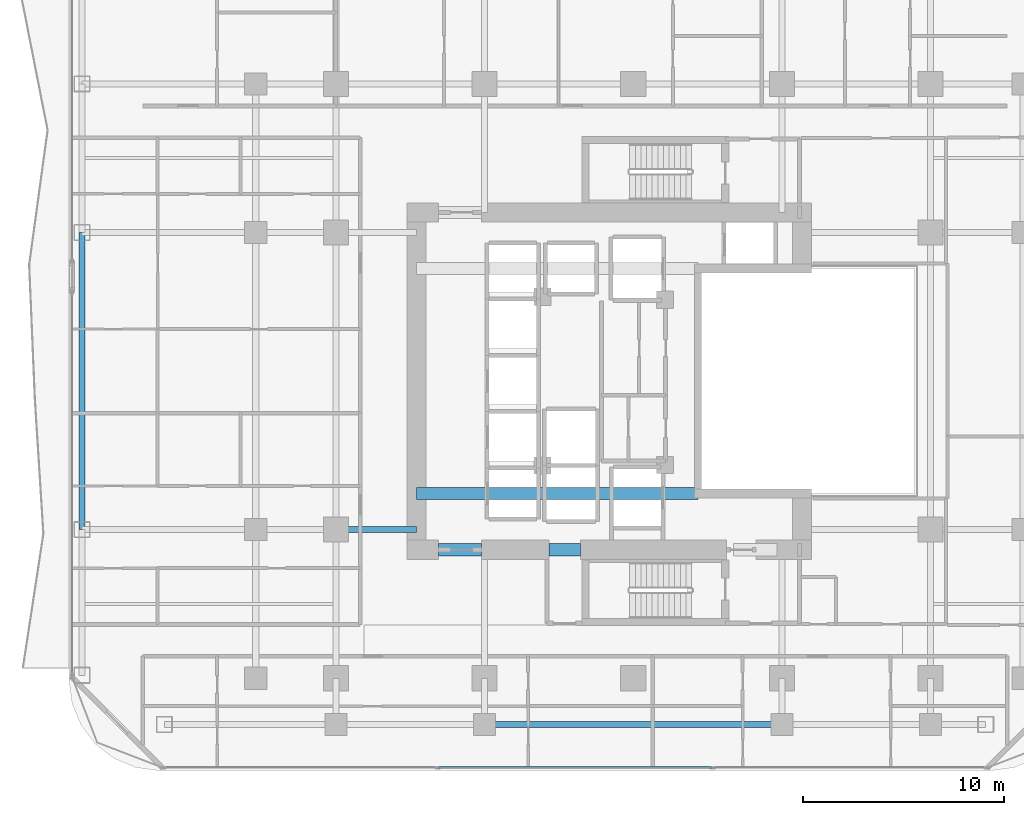
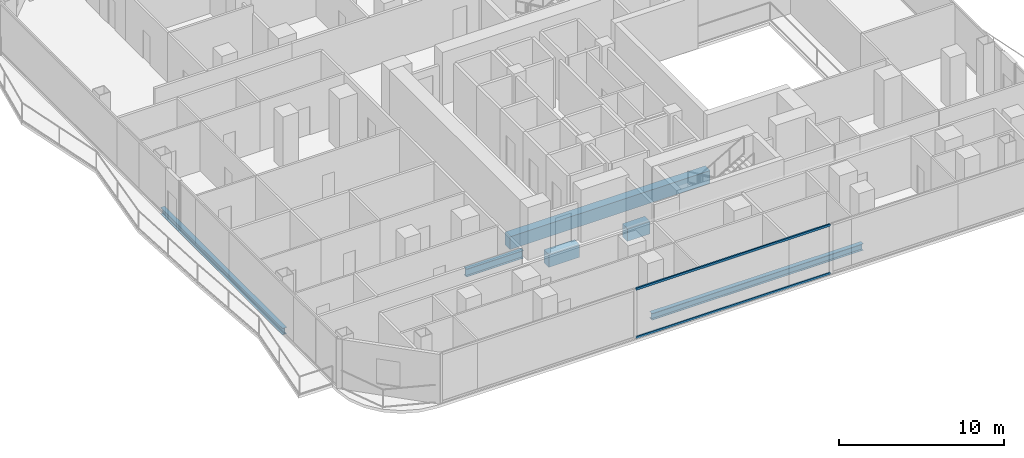
# One storey, part 5 of 28: 6 beams, 2 members, 1 element without a shape of its own.
"""IFC4 building model written with IfcOpenShell, lengths in metres."""

import ifcopenshell
import ifcopenshell.guid

model = None  # the IFC model being written
_history = None  # IfcOwnerHistory: only IFC2X3 demands one
_inside = {}  # id of a spatial element -> (the spatial element, [elements in it])
_under = {}  # id of a project, library or spatial element -> (it, [spatial elements below it])
_declared = {}  # id of a project -> (the project, [libraries it declares])
_typed = {}  # id of a type object -> (the type object, [elements of that type])
_made_of = {}  # id of a material, layer set ... -> (it, [elements and type objects made of it])


def new_model(schema):
    """Start an empty IFC model of exactly this schema.

    Asked for "IFC4X3", IfcOpenShell would pick the latest addendum, in which some entities
    have other attributes; the version numbers below select the first issue.
    IFC2X3 requires an IfcOwnerHistory on every rooted entity: one is made here for all.
    """
    global model, _history
    if schema == "IFC4X3":
        model = ifcopenshell.file(schema_version=(4, 3, 0, 0))
    else:
        model = ifcopenshell.file(schema=schema)
    _inside.clear()
    _under.clear()
    _declared.clear()
    _typed.clear()
    _made_of.clear()
    _history = None
    if model.schema == "IFC2X3":
        org = make("IfcOrganization", Name="unknown")
        user = make(
            "IfcPersonAndOrganization",
            ThePerson=make("IfcPerson", FamilyName="unknown"),
            TheOrganization=org,
        )
        app = make(
            "IfcApplication",
            ApplicationDeveloper=org,
            Version="unknown",
            ApplicationFullName="unknown",
            ApplicationIdentifier="unknown",
        )
        _history = make(
            "IfcOwnerHistory",
            OwningUser=user,
            OwningApplication=app,
            ChangeAction="ADDED",
            CreationDate=0,
        )
    return model


def make(cls, **values):
    """One entity of the class cls with the attributes given. An attribute that is None is left unset."""
    return model.create_entity(
        cls, **{name: value for name, value in values.items() if value is not None}
    )


def rooted(cls, **values):
    """An entity with a GlobalId (a new one), such as an element, a storey or a relation."""
    return make(cls, GlobalId=ifcopenshell.guid.new(), OwnerHistory=_history, **values)


def si_unit(unit_type, name, prefix=None):
    """IfcSIUnit, for example si_unit("LENGTHUNIT", "METRE", prefix="MILLI")."""
    return make("IfcSIUnit", UnitType=unit_type, Prefix=prefix, Name=name)


def assignment(units):
    """IfcUnitAssignment: the units of a project."""
    return None if units is None else make("IfcUnitAssignment", Units=units)


def point(xyz):
    """IfcCartesianPoint."""
    return None if xyz is None else make("IfcCartesianPoint", Coordinates=xyz)


def direction(xyz):
    """IfcDirection."""
    return None if xyz is None else make("IfcDirection", DirectionRatios=xyz)


def frame(location, z_axis=None, x_axis=None):
    """IfcAxis2Placement3D, a coordinate frame: its origin and axes. An axis left out is left unset."""
    return make(
        "IfcAxis2Placement3D",
        Location=point(location),
        Axis=direction(z_axis),
        RefDirection=direction(x_axis),
    )


def frame_2d(location, x_axis=None):
    """IfcAxis2Placement2D, a coordinate frame in the plane: its origin and x axis."""
    return make(
        "IfcAxis2Placement2D", Location=point(location), RefDirection=direction(x_axis)
    )


def origin():
    """The frame at (0, 0, 0) with its axes left unset."""
    return frame((0.0, 0.0, 0.0))


def origin_2d():
    """The frame at (0, 0) in the plane with its x axis left unset."""
    return frame_2d((0.0, 0.0))


def place(relative_to, where):
    """IfcLocalPlacement: puts the frame where relative to a parent placement (None: the world)."""
    return make(
        "IfcLocalPlacement", PlacementRelTo=relative_to, RelativePlacement=where
    )


def context(
    kind, dimensions, precision=None, world=None, true_north=None, identifier=None
):
    """IfcGeometricRepresentationContext, for example the 3D "Model" context."""
    return make(
        "IfcGeometricRepresentationContext",
        ContextIdentifier=identifier,
        ContextType=kind,
        CoordinateSpaceDimension=dimensions,
        Precision=precision,
        WorldCoordinateSystem=world,
        TrueNorth=true_north,
    )


def subcontext(parent, identifier, kind, view, scale=None):
    """IfcGeometricRepresentationSubContext, for example "Body" below "Model"."""
    return make(
        "IfcGeometricRepresentationSubContext",
        ContextIdentifier=identifier,
        ContextType=kind,
        ParentContext=parent,
        TargetScale=scale,
        TargetView=view,
    )


def project(units=None, contexts=None):
    """IfcProject with its units and contexts."""
    return rooted(
        "IfcProject",
        Name="project",
        RepresentationContexts=contexts,
        UnitsInContext=assignment(units),
    )


def spatial(cls, under=None, at=None, **own):
    """A site, building, storey or space (cls), placed at a placement, below another one or the project."""
    s = rooted(cls, ObjectPlacement=at, **own)
    if under is not None:
        _under.setdefault(under.id(), (under, []))[1].append(s)
    return s


def profile(cls, at=None, kind="AREA", **sizes):
    """A parametric profile (cls). Its sizes go by their IFC names, for example OverallWidth=200.0."""
    return make(cls, ProfileType=kind, Position=at, **sizes)


def rectangle(**sizes):
    """IfcRectangleProfileDef."""
    return profile("IfcRectangleProfileDef", **sizes)


def hollow_rectangle(**sizes):
    """IfcRectangleHollowProfileDef."""
    return profile("IfcRectangleHollowProfileDef", **sizes)


def i_section(**sizes):
    """IfcIShapeProfileDef."""
    return profile("IfcIShapeProfileDef", **sizes)


def extrude(swept, where, along, depth):
    """IfcExtrudedAreaSolid: the profile swept, set in the frame where, extruded along a direction by depth."""
    return make(
        "IfcExtrudedAreaSolid",
        SweptArea=swept,
        Position=where,
        ExtrudedDirection=direction(along),
        Depth=depth,
    )


def shape(context_of_items, identifier, shape_type, items):
    """IfcShapeRepresentation: the items that make up one representation, for example the "Body"."""
    return make(
        "IfcShapeRepresentation",
        ContextOfItems=context_of_items,
        RepresentationIdentifier=identifier,
        RepresentationType=shape_type,
        Items=items,
    )


def material(Name=None, Category=None):
    """IfcMaterial."""
    return make("IfcMaterial", Name=Name, Category=Category)


def layer(
    of_material, thickness, ventilated=None, Name=None, Category=None, Priority=None
):
    """IfcMaterialLayer: one layer of a wall or slab, of a material (None: an air gap)."""
    return make(
        "IfcMaterialLayer",
        Material=of_material,
        LayerThickness=thickness,
        IsVentilated=ventilated,
        Name=Name,
        Category=Category,
        Priority=Priority,
    )


def layer_set(layers, Name=None):
    """IfcMaterialLayerSet."""
    return make("IfcMaterialLayerSet", MaterialLayers=layers, LayerSetName=Name)


def material_profile(
    of_material, cross_section, Name=None, Category=None, Priority=None
):
    """IfcMaterialProfile: a cross section and its material."""
    return make(
        "IfcMaterialProfile",
        Name=Name,
        Material=of_material,
        Profile=cross_section,
        Priority=Priority,
        Category=Category,
    )


def profile_set(profiles, Name=None, composite=None):
    """IfcMaterialProfileSet."""
    return make(
        "IfcMaterialProfileSet",
        Name=Name,
        MaterialProfiles=profiles,
        CompositeProfile=composite,
    )


def made_of(thing, what):
    """Note that an element or type object is made of a material, layer set ...; save() writes the relation."""
    if what is not None:
        _made_of.setdefault(what.id(), (what, []))[1].append(thing)
    return thing


def type_object(cls, material=None, **own):
    """A type object (cls), such as IfcWallType, which elements share."""
    return made_of(rooted(cls, **own), material)


def element(
    cls,
    number,
    at=None,
    inside=None,
    cuts=None,
    type_object=None,
    material=None,
    context=None,
    identifier="Body",
    shape_type=None,
    held_by="IfcProductDefinitionShape",
    body=None,
    shapes=None,
    **own,
):
    """One element of the class cls, such as IfcWall. Its Tag is "e" and its number.

    at: its placement. inside: the storey or other place that contains it. cuts: it is an
    opening in that element (IfcRelVoidsElement). A single representation is given by context,
    identifier, shape_type and body (its items); several are given by shapes. held_by: the class
    of the entity that holds the representations. save() writes the other relations.
    """
    e = rooted(cls, Tag="e%d" % number, ObjectPlacement=at, **own)
    if body is not None:
        shapes = [shape(context, identifier, shape_type, body)]
    if shapes is not None:
        e.Representation = make(held_by, Representations=shapes)
    if inside is not None:
        _inside.setdefault(inside.id(), (inside, []))[1].append(e)
    if cuts is not None:
        rooted(
            "IfcRelVoidsElement", RelatingBuildingElement=cuts, RelatedOpeningElement=e
        )
    if type_object is not None:
        _typed.setdefault(type_object.id(), (type_object, []))[1].append(e)
    return made_of(e, material)


def aggregate(whole, parts):
    """IfcRelAggregates: a whole, such as a stair, and the parts it consists of."""
    return rooted("IfcRelAggregates", RelatingObject=whole, RelatedObjects=parts)


def save(model, path):
    """Write the relations noted so far, then the file.

    IfcRelAggregates (storeys below a building ...), IfcRelContainedInSpatialStructure (elements
    in a storey), IfcRelDefinesByType, IfcRelAssociatesMaterial and IfcRelDeclares: one each for
    every whole, place, type object, material and project.
    """
    for whole, parts in _under.values():
        aggregate(whole, parts)
    for where, things in _inside.values():
        rooted(
            "IfcRelContainedInSpatialStructure",
            RelatedElements=things,
            RelatingStructure=where,
        )
    for kind, things in _typed.values():
        rooted("IfcRelDefinesByType", RelatedObjects=things, RelatingType=kind)
    for what, things in _made_of.values():
        rooted("IfcRelAssociatesMaterial", RelatedObjects=things, RelatingMaterial=what)
    for by, libraries in _declared.values():
        rooted("IfcRelDeclares", RelatingContext=by, RelatedDefinitions=libraries)
    model.write(path)


model = new_model("IFC4")

# Units and contexts
model_context = context("Model", 3, precision=1e-05, world=origin(), true_north=direction((0.0, 1.0)))
body_context = subcontext(model_context, "Body", "Model", "MODEL_VIEW")
ifc_project = project(units=[si_unit("LENGTHUNIT", "METRE"), si_unit("AREAUNIT", "SQUARE_METRE"), si_unit("VOLUMEUNIT", "CUBIC_METRE"), si_unit("PLANEANGLEUNIT", "RADIAN"), si_unit("MASSUNIT", "GRAM", prefix="KILO")], contexts=[model_context])

# Site, building, storey
site_placement = place(None, origin())
site = spatial("IfcSite", under=ifc_project, at=site_placement, CompositionType="ELEMENT")
building_placement = place(site_placement, origin())
building = spatial("IfcBuilding", under=site, at=building_placement, Name="Khorvyn Point Tower", CompositionType="ELEMENT")
storey_placement = place(building_placement, frame((0.0, 0.0, 100.800048828125)))
storey = spatial("IfcBuildingStorey", under=building, at=storey_placement, Name="L25", CompositionType="ELEMENT", Elevation=100.800048828125)

# Curtain wall, members
ifc_material_1 = material(Name="Anodised aluminium 6063-T6 and laminated Low-E glass", Category="aluminium")
ifc_layer = layer(ifc_material_1, 0.18994140625)
ifc_layer_set = layer_set([ifc_layer], Name="Stick-Built Finned Residential Curtain Wall CW-SYS-02")
curtain_wall_type = type_object("IfcCurtainWallType", Name="Stick-Built Finned Residential Curtain Wall CW-SYS-02", PredefinedType="NOTDEFINED", material=ifc_layer_set)
curtain_wall_placement = place(storey_placement, origin())
curtain_wall = element("IfcCurtainWall", 1, at=curtain_wall_placement, inside=storey, type_object=curtain_wall_type, Name="Curtain Wall", PredefinedType="NOTDEFINED")
ifc_material_2 = material(Name="Anodised aluminium 6063-T6", Category="aluminium")
ifc_material_profile_1 = material_profile(ifc_material_2, hollow_rectangle(XDim=0.10009765625, YDim=0.159912109375, WallThickness=0.00439453125, at=origin_2d()))
ifc_profile_set_1 = profile_set([ifc_material_profile_1], Name="Anodised aluminium 6063-T6 ALU-TRN-100x160")
member_type = type_object("IfcMemberType", Name="Anodised Aluminium 6063-T6 Transom ALU-TRN-100x160", PredefinedType="USERDEFINED", material=ifc_profile_set_1)
member_1_placement = place(storey_placement, frame((3.89990234375, -19.25, 0.050048828125), z_axis=(-1.0, 0.0, 0.0), x_axis=(0.0, -1.0, 0.0)))
member_1 = element("IfcMember", 2, at=member_1_placement, type_object=member_type, Name="Transom", ObjectType="TRANSOM", PredefinedType="USERDEFINED", context=body_context, shape_type="SweptSolid", body=[
    extrude(hollow_rectangle(XDim=0.10009765625, YDim=0.159912109375, WallThickness=0.00439453125, at=origin_2d()), origin(), (0.0, 0.0, 1.0), 13.599853515625),
])
member_2_placement = place(storey_placement, frame((3.89990234375, -19.25, 3.6298828125), z_axis=(-1.0, 0.0, 0.0), x_axis=(0.0, -1.0, 0.0)))
member_2 = element("IfcMember", 3, at=member_2_placement, type_object=member_type, Name="Transom", ObjectType="TRANSOM", PredefinedType="USERDEFINED", context=body_context, shape_type="SweptSolid", body=[
    extrude(hollow_rectangle(XDim=0.10009765625, YDim=0.159912109375, WallThickness=0.00439453125, at=origin_2d()), origin(), (0.0, 0.0, 1.0), 13.599853515625),
])
aggregate(curtain_wall, [member_1, member_2])

# Beams
ifc_material_3 = material(Name="Concrete C50/60", Category="concrete")
ifc_material_profile_2 = material_profile(ifc_material_3, rectangle(XDim=0.60009765625, YDim=0.949951171875, at=origin_2d()))
ifc_profile_set_2 = profile_set([ifc_material_profile_2], Name="Concrete C50/60 RC600x950")
beam_type_1 = type_object("IfcBeamType", Name="Concrete C50/60 Beam RC600x950", PredefinedType="BEAM", material=ifc_profile_set_2)
beam_1_placement = place(storey_placement, frame((-10.800048828125, -5.60009765625, -0.695068359375), z_axis=(1.0, 0.0, 0.0), x_axis=(0.0, 1.0, 0.0)))
element("IfcBeam", 4, at=beam_1_placement, inside=storey, type_object=beam_type_1, Name="L25 Core Internal Tie Girder S", PredefinedType="BEAM", context=body_context, shape_type="SweptSolid", body=[
    extrude(rectangle(XDim=0.60009765625, YDim=0.949951171875, at=origin_2d()), origin(), (0.0, 0.0, 1.0), 14.02001953125),
])
beam_2_placement = place(storey_placement, frame((-9.699951171875, -8.39990234375, -0.695068359375), z_axis=(1.0, 0.0, 0.0), x_axis=(0.0, 1.0, 0.0)))
element("IfcBeam", 5, at=beam_2_placement, inside=storey, type_object=beam_type_1, Name="L25 Core Southwest Portal Coupling Beam", PredefinedType="BEAM", context=body_context, shape_type="SweptSolid", body=[
    extrude(rectangle(XDim=0.60009765625, YDim=0.949951171875, at=origin_2d()), origin(), (0.0, 0.0, 1.0), 2.14990234375),
])
beam_3_placement = place(storey_placement, frame((-4.199951171875, -8.39990234375, -0.695068359375), z_axis=(1.0, 0.0, 0.0), x_axis=(0.0, 1.0, 0.0)))
element("IfcBeam", 6, at=beam_3_placement, inside=storey, type_object=beam_type_1, Name="L25 Core Shuttle Portal Coupling Beam", PredefinedType="BEAM", context=body_context, shape_type="SweptSolid", body=[
    extrude(rectangle(XDim=0.60009765625, YDim=0.949951171875, at=origin_2d()), origin(), (0.0, 0.0, 1.0), 1.579833984375),
])
ifc_material_4 = material(Name="Steel S355", Category="steel")
ifc_material_profile_3 = material_profile(ifc_material_4, i_section(OverallWidth=0.300048828125, OverallDepth=0.587890625, WebThickness=0.011962890625, FlangeThickness=0.02001953125, at=origin_2d()))
ifc_profile_set_3 = profile_set([ifc_material_profile_3], Name="Steel S355 H588x300x12x20")
beam_type_2 = type_object("IfcBeamType", Name="Steel S355 Beam H588x300x12x20", PredefinedType="BEAM", material=ifc_profile_set_3)
beam_4_placement = place(storey_placement, frame((-14.800048828125, -7.39990234375, -0.51416015625), z_axis=(1.0, 0.0, 0.0), x_axis=(0.0, 1.0, 0.0)))
element("IfcBeam", 7, at=beam_4_placement, inside=storey, type_object=beam_type_2, Name="Beam", PredefinedType="BEAM", context=body_context, shape_type="SweptSolid", body=[
    extrude(i_section(OverallWidth=0.300048828125, OverallDepth=0.587890625, WebThickness=0.011962890625, FlangeThickness=0.02001953125, at=origin_2d()), origin(), (0.0, 0.0, 1.0), 4.0),
])
ifc_material_profile_4 = material_profile(ifc_material_4, i_section(OverallWidth=0.300048828125, OverallDepth=0.488037109375, WebThickness=0.010986328125, FlangeThickness=0.01806640625, at=origin_2d()))
ifc_profile_set_4 = profile_set([ifc_material_profile_4], Name="Steel S355 H488x300x11x18")
beam_type_3 = type_object("IfcBeamType", Name="Steel S355 Spandrel H488x300x11x18", PredefinedType="SPANDREL", material=ifc_profile_set_4)
for number, where, z_axis, x_axis, name in (
    (8, (-7.39990234375, -17.10009765625, -0.464111328125), (1.0, 0.0, 0.0), (0.0, 1.0, 0.0), "Beam"),
    (9, (-27.449951171875, -7.39990234375, -0.464111328125), (0.0, 1.0, 0.0), (-1.0, 0.0, 0.0), "Beam"),
):
    element("IfcBeam", number, at=place(storey_placement, frame(where, z_axis=z_axis, x_axis=x_axis)), inside=storey, type_object=beam_type_3, Name=name, PredefinedType="SPANDREL", context=body_context, shape_type="SweptSolid", body=[
        extrude(i_section(OverallWidth=0.300048828125, OverallDepth=0.488037109375, WebThickness=0.010986328125, FlangeThickness=0.01806640625, at=origin_2d()), origin(), (0.0, 0.0, 1.0), 14.7998046875),
    ])

save(model, "model.ifc")
